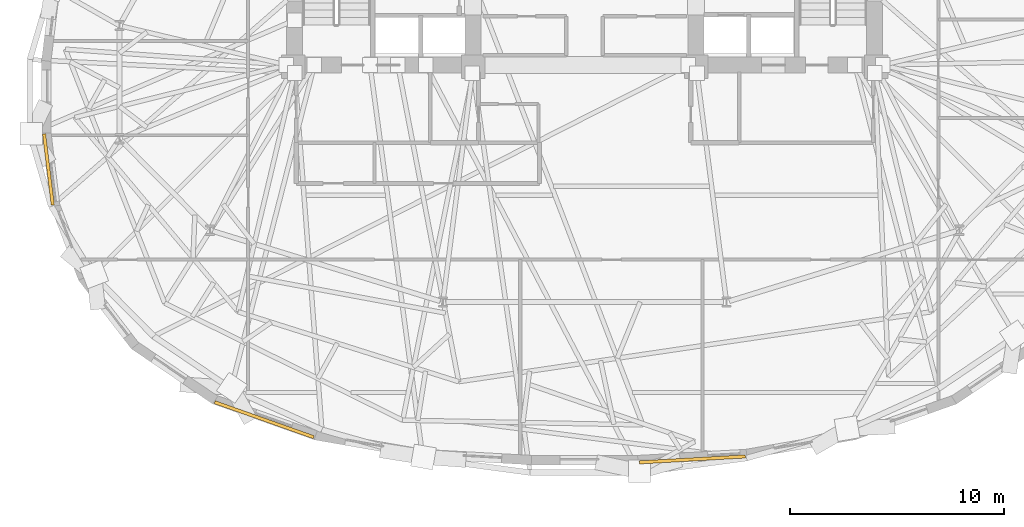
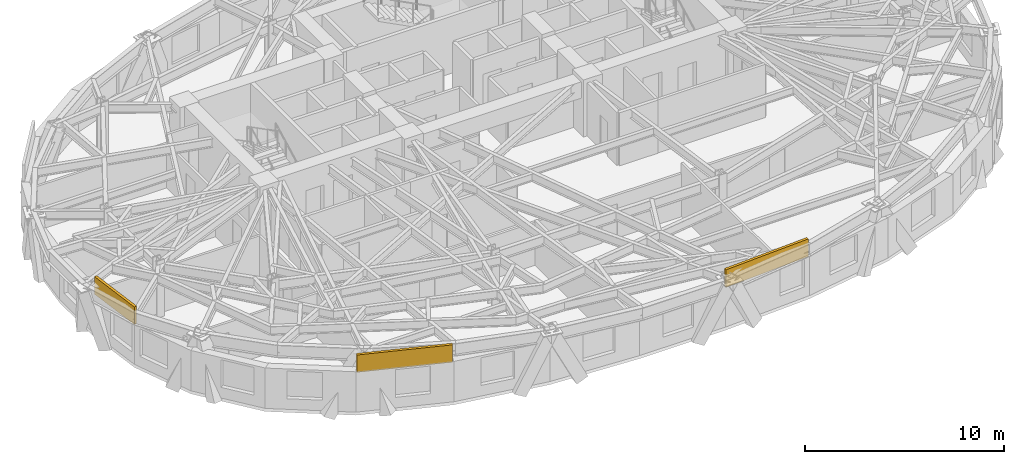
# One storey, part 10 of 13: 3 coverings.
"""IFC4 building model written with IfcOpenShell, lengths in metres."""

from ifc_helpers import new_model, si_unit, direction, frame, origin, origin_2d, place, context, subcontext, project, spatial, rectangle, extrude, material, layer, layer_set, type_object, element, save


model = new_model("IFC4")

# Units and contexts
model_context = context("Model", 3, precision=1e-05, world=origin(), true_north=direction((0.0, 1.0)))
body_context = subcontext(model_context, "Body", "Model", "MODEL_VIEW")
ifc_project = project(units=[si_unit("LENGTHUNIT", "METRE"), si_unit("AREAUNIT", "SQUARE_METRE"), si_unit("VOLUMEUNIT", "CUBIC_METRE"), si_unit("PLANEANGLEUNIT", "RADIAN"), si_unit("MASSUNIT", "GRAM", prefix="KILO")], contexts=[model_context])

# Site, building, storey
site_placement = place(None, origin())
site = spatial("IfcSite", under=ifc_project, at=site_placement, CompositionType="ELEMENT")
building_placement = place(site_placement, origin())
building = spatial("IfcBuilding", under=site, at=building_placement, Name="Keldmark Tower", CompositionType="ELEMENT")
storey_placement = place(building_placement, frame((0.0, 0.0, 131.60009765625)))
storey = spatial("IfcBuildingStorey", under=building, at=storey_placement, Name="L35", CompositionType="ELEMENT", Elevation=131.60009765625)

# Coverings
ifc_material = material(Name="Honed Kasota Buff Dolomitic Limestone", Category="masonry")
ifc_layer = layer(ifc_material, 0.074951171875)
ifc_layer_set = layer_set([ifc_layer], Name="Honed Kasota Buff Dolomitic Limestone")
covering_type = type_object("IfcCoveringType", Name="Kasota Buff Limestone Spandrel Cladding Band", PredefinedType="CLADDING", material=ifc_layer_set)
covering_1_placement = place(storey_placement, frame((-25.009521484375, -3.39404296875, 2.40185546875), z_axis=(0.0, 0.0, 1.0), x_axis=(0.121124411626, -0.992637334029, 0.0)))
element("IfcCovering", 1, at=covering_1_placement, inside=storey, type_object=covering_type, Name="L35 Kasota Limestone Spandrel Band 17", PredefinedType="CLADDING", context=body_context, shape_type="SweptSolid", body=[
    extrude(rectangle(XDim=3.33740234375, YDim=0.14990234375, at=origin_2d()), origin(), (0.0, 0.0, 1.0), 1.077880859375),
])
covering_2_placement = place(storey_placement, frame((-14.947998046875, -15.0673828125, 2.40185546875), z_axis=(0.0, 0.0, 1.0), x_axis=(0.942781233081, -0.333411977216, 0.0)))
element("IfcCovering", 2, at=covering_2_placement, inside=storey, type_object=covering_type, Name="L35 Kasota Limestone Spandrel Band 21", PredefinedType="CLADDING", context=body_context, shape_type="SweptSolid", body=[
    extrude(rectangle(XDim=4.898193359375, YDim=0.14990234375, at=origin_2d()), origin(), (0.0, 0.0, 1.0), 1.077880859375),
])
covering_3_placement = place(storey_placement, frame((5.019287109375, -16.92138671875, 2.40185546875), z_axis=(0.0, 0.0, 1.0), x_axis=(0.998430028822, 0.056013190829, 0.0)))
element("IfcCovering", 3, at=covering_3_placement, inside=storey, type_object=covering_type, Name="L35 Kasota Limestone Spandrel Band 25", PredefinedType="CLADDING", context=body_context, shape_type="SweptSolid", body=[
    extrude(rectangle(XDim=4.949462890625, YDim=0.14990234375, at=origin_2d()), origin(), (0.0, 0.0, 1.0), 1.077880859375),
])

save(model, "model.ifc")
